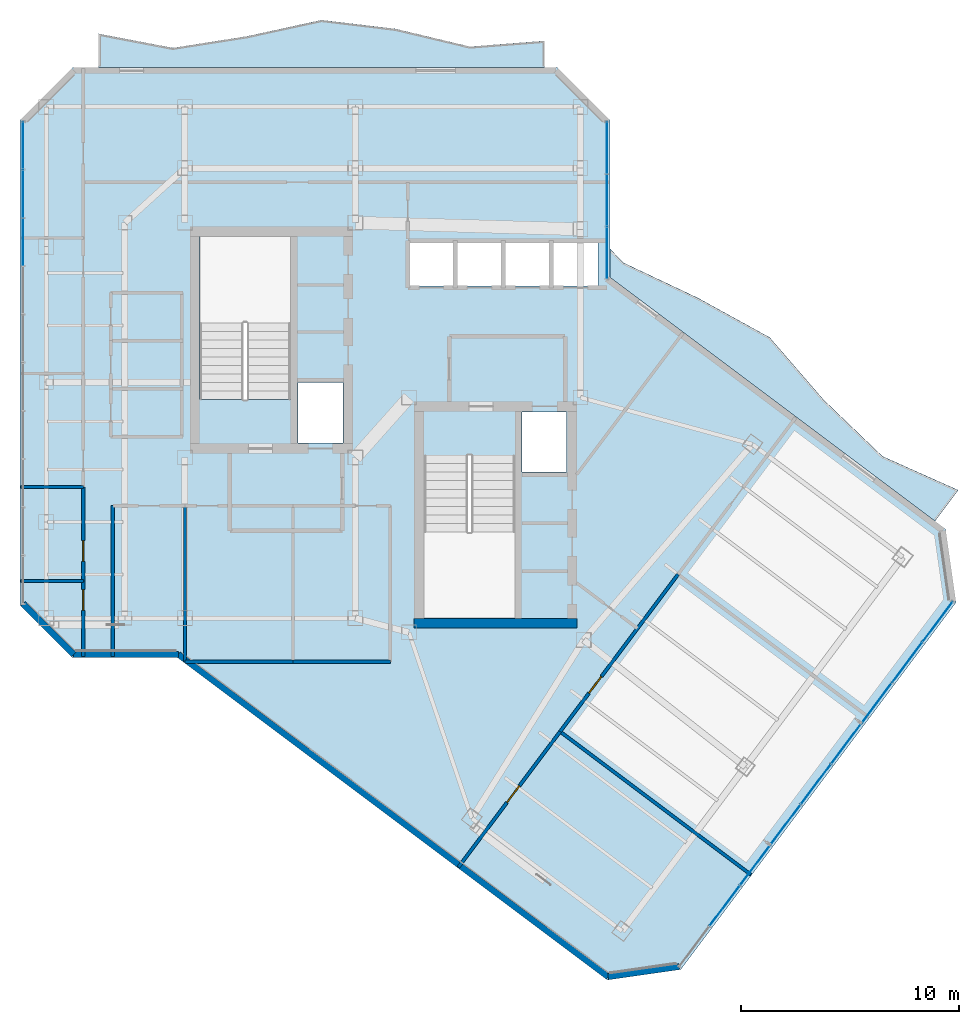
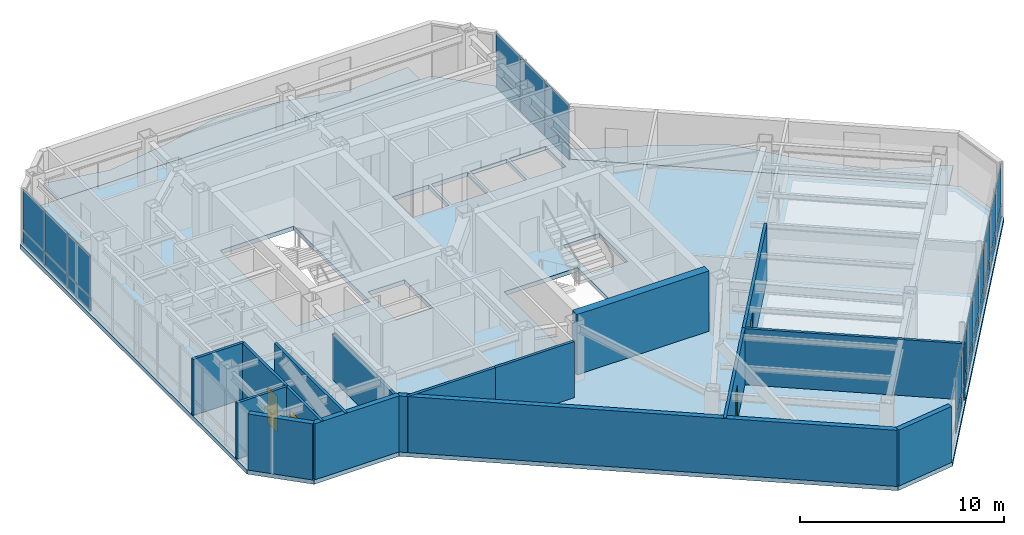
# One storey, part 19 of 26: 28 plates, 16 walls, 4 doors, 3 slabs, 4 openings, 3 elements without a shape of their own.
"""IFC4 building model written with IfcOpenShell, lengths in metres."""

from ifc_helpers import new_model, si_unit, direction, frame, frame_2d, origin, origin_2d, place, context, subcontext, project, spatial, polyline, rectangle, outline, extrude, material, layer, layer_set, type_object, element, fill, aggregate, save


model = new_model("IFC4")

# Units and contexts
model_context = context("Model", 3, precision=1e-05, world=origin(), true_north=direction((0.0, 1.0)))
body_context = subcontext(model_context, "Body", "Model", "MODEL_VIEW")
ifc_project = project(units=[si_unit("LENGTHUNIT", "METRE"), si_unit("AREAUNIT", "SQUARE_METRE"), si_unit("VOLUMEUNIT", "CUBIC_METRE"), si_unit("PLANEANGLEUNIT", "RADIAN"), si_unit("MASSUNIT", "GRAM", prefix="KILO")], contexts=[model_context])

# Site, building, storey
site_placement = place(None, origin())
site = spatial("IfcSite", under=ifc_project, at=site_placement, CompositionType="ELEMENT")
building_placement = place(site_placement, origin())
building = spatial("IfcBuilding", under=site, at=building_placement, Name="Hatsunagi Terrace Concourse", CompositionType="ELEMENT")
storey_placement = place(building_placement, frame((0.0, 0.0, 227.550048828125)))
storey = spatial("IfcBuildingStorey", under=building, at=storey_placement, Name="L60", CompositionType="ELEMENT", Elevation=227.550048828125)

# Curtain wall, plates
ifc_material_1 = material(Name="Anodised Aluminium Alloy 6063-T5", Category="aluminium")
ifc_layer_1 = layer(ifc_material_1, 0.199951171875)
ifc_layer_set_1 = layer_set([ifc_layer_1], Name="OfficeZone2_CW04")
curtain_wall_type = type_object("IfcCurtainWallType", Name="OfficeZone2_CW04", PredefinedType="NOTDEFINED", material=ifc_layer_set_1)
curtain_wall_1_placement = place(storey_placement, origin())
curtain_wall_1 = element("IfcCurtainWall", 1, at=curtain_wall_1_placement, inside=storey, type_object=curtain_wall_type, Name="Unitised Curtain Wall CW-04 CW-L60-03", PredefinedType="NOTDEFINED")
ifc_material_2 = material(Name="Warm Terracotta Ceramic Spandrel Panel", Category="masonry")
ifc_layer_2 = layer(ifc_material_2, 0.031982421875)
ifc_layer_set_2 = layer_set([ifc_layer_2], Name="CurtainWallSpandrelPanel_32")
plate_type_1 = type_object("IfcPlateType", Name="CurtainWallSpandrelPanel_32", PredefinedType="SHEET", material=ifc_layer_set_2)
plate_1_placement = place(storey_placement, frame((59.9970703125, 25.030029296875, 0.030029296875), z_axis=(0.0, 0.0, 1.0), x_axis=(-0.599969314634, -0.800023013105, 0.0)))
plate_1 = element("IfcPlate", 2, at=plate_1_placement, type_object=plate_type_1, Name="Terracotta Spandrel Panel SPN-01", PredefinedType="SHEET", context=body_context, shape_type="SweptSolid", body=[
    extrude(rectangle(XDim=2.264892578125, YDim=0.031982421875, at=origin_2d()), origin(), (0.0, 0.0, 1.0), 0.7900390625),
])
plate_2_placement = place(storey_placement, frame((58.60498046875, 23.173095703125, 0.030029296875), z_axis=(0.0, 0.0, 1.0), x_axis=(-0.599969314634, -0.800023013105, 0.0)))
plate_2 = element("IfcPlate", 3, at=plate_2_placement, type_object=plate_type_1, Name="Terracotta Spandrel Panel SPN-01", PredefinedType="SHEET", context=body_context, shape_type="SweptSolid", body=[
    extrude(rectangle(XDim=2.264892578125, YDim=0.031982421875, at=origin_2d()), origin(), (0.0, 0.0, 1.0), 0.7900390625),
])
plate_3_placement = place(storey_placement, frame((57.2119140625, 21.31689453125, 0.030029296875), z_axis=(0.0, 0.0, 1.0), x_axis=(-0.599969314634, -0.800023013105, 0.0)))
plate_3 = element("IfcPlate", 4, at=plate_3_placement, type_object=plate_type_1, Name="Terracotta Spandrel Panel SPN-01", PredefinedType="SHEET", context=body_context, shape_type="SweptSolid", body=[
    extrude(rectangle(XDim=2.264892578125, YDim=0.031982421875, at=origin_2d()), origin(), (0.0, 0.0, 1.0), 0.7900390625),
])
plate_4_placement = place(storey_placement, frame((55.820068359375, 19.4599609375, 0.030029296875), z_axis=(0.0, 0.0, 1.0), x_axis=(-0.599969314634, -0.800023013105, 0.0)))
plate_4 = element("IfcPlate", 5, at=plate_4_placement, type_object=plate_type_1, Name="Terracotta Spandrel Panel SPN-01", PredefinedType="SHEET", context=body_context, shape_type="SweptSolid", body=[
    extrude(rectangle(XDim=2.264892578125, YDim=0.031982421875, at=origin_2d()), origin(), (0.0, 0.0, 1.0), 0.7900390625),
])
plate_5_placement = place(storey_placement, frame((54.427978515625, 17.60400390625, 0.030029296875), z_axis=(0.0, 0.0, 1.0), x_axis=(-0.599969314634, -0.800023013105, 0.0)))
plate_5 = element("IfcPlate", 6, at=plate_5_placement, type_object=plate_type_1, Name="Terracotta Spandrel Panel SPN-01", PredefinedType="SHEET", context=body_context, shape_type="SweptSolid", body=[
    extrude(rectangle(XDim=2.264892578125, YDim=0.031982421875, at=origin_2d()), origin(), (0.0, 0.0, 1.0), 0.7900390625),
])
plate_6_placement = place(storey_placement, frame((53.035888671875, 15.748046875, 0.030029296875), z_axis=(0.0, 0.0, 1.0), x_axis=(-0.599969314634, -0.800023013105, 0.0)))
plate_6 = element("IfcPlate", 7, at=plate_6_placement, type_object=plate_type_1, Name="Terracotta Spandrel Panel SPN-01", PredefinedType="SHEET", context=body_context, shape_type="SweptSolid", body=[
    extrude(rectangle(XDim=2.264892578125, YDim=0.031982421875, at=origin_2d()), origin(), (0.0, 0.0, 1.0), 0.7900390625),
])
plate_7_placement = place(storey_placement, frame((51.64404296875, 13.89111328125, 0.030029296875), z_axis=(0.0, 0.0, 1.0), x_axis=(-0.599969314634, -0.800023013105, 0.0)))
plate_7 = element("IfcPlate", 8, at=plate_7_placement, type_object=plate_type_1, Name="Terracotta Spandrel Panel SPN-01", PredefinedType="SHEET", context=body_context, shape_type="SweptSolid", body=[
    extrude(rectangle(XDim=2.264892578125, YDim=0.031982421875, at=origin_2d()), origin(), (0.0, 0.0, 1.0), 0.7900390625),
])
plate_8_placement = place(storey_placement, frame((50.2509765625, 12.034912109375, 0.030029296875), z_axis=(0.0, 0.0, 1.0), x_axis=(-0.599969314634, -0.800023013105, 0.0)))
plate_8 = element("IfcPlate", 9, at=plate_8_placement, type_object=plate_type_1, Name="Terracotta Spandrel Panel SPN-01", PredefinedType="SHEET", context=body_context, shape_type="SweptSolid", body=[
    extrude(rectangle(XDim=2.264892578125, YDim=0.031982421875, at=origin_2d()), origin(), (0.0, 0.0, 1.0), 0.7900390625),
])

curtain_wall_2_placement = place(storey_placement, origin())
curtain_wall_2 = element("IfcCurtainWall", 10, at=curtain_wall_2_placement, inside=storey, type_object=curtain_wall_type, Name="Unitised Curtain Wall CW-04 CW-L60-08", PredefinedType="NOTDEFINED")
plate_9_placement = place(storey_placement, frame((18.139892578125, 42.4208984375, 0.030029296875), z_axis=(0.0, 0.0, 1.0), x_axis=(0.0, 1.0, 0.0)))
plate_9 = element("IfcPlate", 11, at=plate_9_placement, type_object=plate_type_1, Name="Terracotta Spandrel Panel SPN-01", PredefinedType="SHEET", context=body_context, shape_type="SweptSolid", body=[
    extrude(rectangle(XDim=2.153076171875, YDim=0.031982421875, at=origin_2d()), origin(), (0.0, 0.0, 1.0), 0.7900390625),
])
plate_10_placement = place(storey_placement, frame((18.139892578125, 44.62890625, 0.030029296875), z_axis=(0.0, 0.0, 1.0), x_axis=(0.0, 1.0, 0.0)))
plate_10 = element("IfcPlate", 12, at=plate_10_placement, type_object=plate_type_1, Name="Terracotta Spandrel Panel SPN-01", PredefinedType="SHEET", context=body_context, shape_type="SweptSolid", body=[
    extrude(rectangle(XDim=2.153076171875, YDim=0.031982421875, at=origin_2d()), origin(), (0.0, 0.0, 1.0), 0.7900390625),
])
plate_11_placement = place(storey_placement, frame((18.139892578125, 46.837890625, 0.030029296875), z_axis=(0.0, 0.0, 1.0), x_axis=(0.0, 1.0, 0.0)))
plate_11 = element("IfcPlate", 13, at=plate_11_placement, type_object=plate_type_1, Name="Terracotta Spandrel Panel SPN-01", PredefinedType="SHEET", context=body_context, shape_type="SweptSolid", body=[
    extrude(rectangle(XDim=2.153076171875, YDim=0.031982421875, at=origin_2d()), origin(), (0.0, 0.0, 1.0), 0.7900390625),
])

curtain_wall_3_placement = place(storey_placement, origin())
curtain_wall_3 = element("IfcCurtainWall", 14, at=curtain_wall_3_placement, inside=storey, type_object=curtain_wall_type, Name="Unitised Curtain Wall CW-04 CW-L60-12", PredefinedType="NOTDEFINED")
plate_12_placement = place(storey_placement, frame((44.860107421875, 46.739990234375, 0.030029296875), z_axis=(0.0, 0.0, 1.0), x_axis=(0.0, -1.0, 0.0)))
plate_12 = element("IfcPlate", 15, at=plate_12_placement, type_object=plate_type_1, Name="Terracotta Spandrel Panel SPN-01", PredefinedType="SHEET", context=body_context, shape_type="SweptSolid", body=[
    extrude(rectangle(XDim=2.34912109375, YDim=0.031982421875, at=origin_2d()), origin(), (0.0, 0.0, 1.0), 0.7900390625),
])
plate_13_placement = place(storey_placement, frame((44.860107421875, 44.3359375, 0.030029296875), z_axis=(0.0, 0.0, 1.0), x_axis=(0.0, -1.0, 0.0)))
plate_13 = element("IfcPlate", 16, at=plate_13_placement, type_object=plate_type_1, Name="Terracotta Spandrel Panel SPN-01", PredefinedType="SHEET", context=body_context, shape_type="SweptSolid", body=[
    extrude(rectangle(XDim=2.34912109375, YDim=0.031982421875, at=origin_2d()), origin(), (0.0, 0.0, 1.0), 0.7900390625),
])
plate_14_placement = place(storey_placement, frame((44.860107421875, 41.931884765625, 0.030029296875), z_axis=(0.0, 0.0, 1.0), x_axis=(0.0, -1.0, 0.0)))
plate_14 = element("IfcPlate", 17, at=plate_14_placement, type_object=plate_type_1, Name="Terracotta Spandrel Panel SPN-01", PredefinedType="SHEET", context=body_context, shape_type="SweptSolid", body=[
    extrude(rectangle(XDim=2.34912109375, YDim=0.031982421875, at=origin_2d()), origin(), (0.0, 0.0, 1.0), 0.7900390625),
])

# Plate
ifc_material_3 = material(Name="Low-E Double Insulating Glass 28mm", Category="glass")
ifc_layer_3 = layer(ifc_material_3, 0.028076171875)
ifc_layer_set_3 = layer_set([ifc_layer_3], Name="CurtainWallVisionGlass_28")
plate_type_2 = type_object("IfcPlateType", Name="CurtainWallVisionGlass_28", PredefinedType="CURTAIN_PANEL", material=ifc_layer_set_3)
plate_15_placement = place(storey_placement, frame((59.9970703125, 25.030029296875, 0.8798828125), z_axis=(0.0, 0.0, 1.0), x_axis=(-0.599969314634, -0.800023013105, 0.0)))
plate_15 = element("IfcPlate", 18, at=plate_15_placement, type_object=plate_type_2, Name="Low-E Vision Glass Panel GLZ-01", PredefinedType="CURTAIN_PANEL", context=body_context, shape_type="SweptSolid", body=[
    extrude(rectangle(XDim=2.264892578125, YDim=0.028076171875, at=origin_2d()), origin(), (0.0, 0.0, 1.0), 2.43994140625),
])

plate_16_placement = place(storey_placement, frame((58.60498046875, 23.173095703125, 0.8798828125), z_axis=(0.0, 0.0, 1.0), x_axis=(-0.599969314634, -0.800023013105, 0.0)))
plate_16 = element("IfcPlate", 19, at=plate_16_placement, type_object=plate_type_2, Name="Low-E Vision Glass Panel GLZ-01", PredefinedType="CURTAIN_PANEL", context=body_context, shape_type="SweptSolid", body=[
    extrude(rectangle(XDim=2.264892578125, YDim=0.028076171875, at=origin_2d()), origin(), (0.0, 0.0, 1.0), 2.43994140625),
])

plate_17_placement = place(storey_placement, frame((57.2119140625, 21.31689453125, 0.8798828125), z_axis=(0.0, 0.0, 1.0), x_axis=(-0.599969314634, -0.800023013105, 0.0)))
plate_17 = element("IfcPlate", 20, at=plate_17_placement, type_object=plate_type_2, Name="Low-E Vision Glass Panel GLZ-01", PredefinedType="CURTAIN_PANEL", context=body_context, shape_type="SweptSolid", body=[
    extrude(rectangle(XDim=2.264892578125, YDim=0.028076171875, at=origin_2d()), origin(), (0.0, 0.0, 1.0), 2.43994140625),
])

plate_18_placement = place(storey_placement, frame((55.820068359375, 19.4599609375, 0.8798828125), z_axis=(0.0, 0.0, 1.0), x_axis=(-0.599969314634, -0.800023013105, 0.0)))
plate_18 = element("IfcPlate", 21, at=plate_18_placement, type_object=plate_type_2, Name="Low-E Vision Glass Panel GLZ-01", PredefinedType="CURTAIN_PANEL", context=body_context, shape_type="SweptSolid", body=[
    extrude(rectangle(XDim=2.264892578125, YDim=0.028076171875, at=origin_2d()), origin(), (0.0, 0.0, 1.0), 2.43994140625),
])

plate_19_placement = place(storey_placement, frame((54.427978515625, 17.60400390625, 0.8798828125), z_axis=(0.0, 0.0, 1.0), x_axis=(-0.599969314634, -0.800023013105, 0.0)))
plate_19 = element("IfcPlate", 22, at=plate_19_placement, type_object=plate_type_2, Name="Low-E Vision Glass Panel GLZ-01", PredefinedType="CURTAIN_PANEL", context=body_context, shape_type="SweptSolid", body=[
    extrude(rectangle(XDim=2.264892578125, YDim=0.028076171875, at=origin_2d()), origin(), (0.0, 0.0, 1.0), 2.43994140625),
])

plate_20_placement = place(storey_placement, frame((53.035888671875, 15.748046875, 0.8798828125), z_axis=(0.0, 0.0, 1.0), x_axis=(-0.599969314634, -0.800023013105, 0.0)))
plate_20 = element("IfcPlate", 23, at=plate_20_placement, type_object=plate_type_2, Name="Low-E Vision Glass Panel GLZ-01", PredefinedType="CURTAIN_PANEL", context=body_context, shape_type="SweptSolid", body=[
    extrude(rectangle(XDim=2.264892578125, YDim=0.028076171875, at=origin_2d()), origin(), (0.0, 0.0, 1.0), 2.43994140625),
])

plate_21_placement = place(storey_placement, frame((51.64404296875, 13.89111328125, 0.8798828125), z_axis=(0.0, 0.0, 1.0), x_axis=(-0.599969314634, -0.800023013105, 0.0)))
plate_21 = element("IfcPlate", 24, at=plate_21_placement, type_object=plate_type_2, Name="Low-E Vision Glass Panel GLZ-01", PredefinedType="CURTAIN_PANEL", context=body_context, shape_type="SweptSolid", body=[
    extrude(rectangle(XDim=2.264892578125, YDim=0.028076171875, at=origin_2d()), origin(), (0.0, 0.0, 1.0), 2.43994140625),
])

plate_22_placement = place(storey_placement, frame((50.2509765625, 12.034912109375, 0.8798828125), z_axis=(0.0, 0.0, 1.0), x_axis=(-0.599969314634, -0.800023013105, 0.0)))
plate_22 = element("IfcPlate", 25, at=plate_22_placement, type_object=plate_type_2, Name="Low-E Vision Glass Panel GLZ-01", PredefinedType="CURTAIN_PANEL", context=body_context, shape_type="SweptSolid", body=[
    extrude(rectangle(XDim=2.264892578125, YDim=0.028076171875, at=origin_2d()), origin(), (0.0, 0.0, 1.0), 2.43994140625),
])

aggregate(curtain_wall_1, [plate_1, plate_15, plate_2, plate_16, plate_3, plate_17, plate_4, plate_18, plate_5, plate_19, plate_6, plate_20, plate_7, plate_21, plate_8, plate_22])

plate_23_placement = place(storey_placement, frame((18.139892578125, 42.4208984375, 0.8798828125), z_axis=(0.0, 0.0, 1.0), x_axis=(0.0, 1.0, 0.0)))
plate_23 = element("IfcPlate", 26, at=plate_23_placement, type_object=plate_type_2, Name="Low-E Vision Glass Panel GLZ-01", PredefinedType="CURTAIN_PANEL", context=body_context, shape_type="SweptSolid", body=[
    extrude(rectangle(XDim=2.153076171875, YDim=0.028076171875, at=origin_2d()), origin(), (0.0, 0.0, 1.0), 2.43994140625),
])

plate_24_placement = place(storey_placement, frame((18.139892578125, 44.62890625, 0.8798828125), z_axis=(0.0, 0.0, 1.0), x_axis=(0.0, 1.0, 0.0)))
plate_24 = element("IfcPlate", 27, at=plate_24_placement, type_object=plate_type_2, Name="Low-E Vision Glass Panel GLZ-01", PredefinedType="CURTAIN_PANEL", context=body_context, shape_type="SweptSolid", body=[
    extrude(rectangle(XDim=2.153076171875, YDim=0.028076171875, at=origin_2d()), origin(), (0.0, 0.0, 1.0), 2.43994140625),
])

plate_25_placement = place(storey_placement, frame((18.139892578125, 46.837890625, 0.8798828125), z_axis=(0.0, 0.0, 1.0), x_axis=(0.0, 1.0, 0.0)))
plate_25 = element("IfcPlate", 28, at=plate_25_placement, type_object=plate_type_2, Name="Low-E Vision Glass Panel GLZ-01", PredefinedType="CURTAIN_PANEL", context=body_context, shape_type="SweptSolid", body=[
    extrude(rectangle(XDim=2.153076171875, YDim=0.028076171875, at=origin_2d()), origin(), (0.0, 0.0, 1.0), 2.43994140625),
])

aggregate(curtain_wall_2, [plate_9, plate_23, plate_10, plate_24, plate_11, plate_25])

plate_26_placement = place(storey_placement, frame((44.860107421875, 46.739990234375, 0.8798828125), z_axis=(0.0, 0.0, 1.0), x_axis=(0.0, -1.0, 0.0)))
plate_26 = element("IfcPlate", 29, at=plate_26_placement, type_object=plate_type_2, Name="Low-E Vision Glass Panel GLZ-01", PredefinedType="CURTAIN_PANEL", context=body_context, shape_type="SweptSolid", body=[
    extrude(rectangle(XDim=2.34912109375, YDim=0.028076171875, at=origin_2d()), origin(), (0.0, 0.0, 1.0), 2.43994140625),
])

plate_27_placement = place(storey_placement, frame((44.860107421875, 44.3359375, 0.8798828125), z_axis=(0.0, 0.0, 1.0), x_axis=(0.0, -1.0, 0.0)))
plate_27 = element("IfcPlate", 30, at=plate_27_placement, type_object=plate_type_2, Name="Low-E Vision Glass Panel GLZ-01", PredefinedType="CURTAIN_PANEL", context=body_context, shape_type="SweptSolid", body=[
    extrude(rectangle(XDim=2.34912109375, YDim=0.028076171875, at=origin_2d()), origin(), (0.0, 0.0, 1.0), 2.43994140625),
])

plate_28_placement = place(storey_placement, frame((44.860107421875, 41.931884765625, 0.8798828125), z_axis=(0.0, 0.0, 1.0), x_axis=(0.0, -1.0, 0.0)))
plate_28 = element("IfcPlate", 31, at=plate_28_placement, type_object=plate_type_2, Name="Low-E Vision Glass Panel GLZ-01", PredefinedType="CURTAIN_PANEL", context=body_context, shape_type="SweptSolid", body=[
    extrude(rectangle(XDim=2.34912109375, YDim=0.028076171875, at=origin_2d()), origin(), (0.0, 0.0, 1.0), 2.43994140625),
])

aggregate(curtain_wall_3, [plate_12, plate_26, plate_13, plate_27, plate_14, plate_28])

# Slabs
ifc_material_4 = material(Name="Concrete Fc42", Category="concrete")
ifc_layer_4 = layer(ifc_material_4, 0.199951171875)
ifc_layer_set_4 = layer_set([ifc_layer_4], Name="EngawaBalconySlab_Fc42_200")
slab_type_1 = type_object("IfcSlabType", Name="EngawaBalconySlab_Fc42_200", PredefinedType="FLOOR", material=ifc_layer_set_4)
slab_1_placement = place(storey_placement, frame((0.0, 0.0, -0.199951171875)))
element("IfcSlab", 32, at=slab_1_placement, inside=storey, type_object=slab_type_1, Name="Engawa Balcony Slab BAL-L60-BN", PredefinedType="FLOOR", context=body_context, shape_type="SweptSolid", body=[
    extrude(outline(polyline([(21.60009765625, 51.949951171875), (21.60009765625, 50.39990234375), (42.0, 50.39990234375), (42.0, 51.625), (38.60009765625, 51.361083984375), (35.199951171875, 52.172119140625), (31.800048828125, 52.577880859375), (28.39990234375, 51.8369140625), (25.0, 51.302001953125), (21.60009765625, 51.949951171875)])), origin(), (0.0, 0.0, 1.0), 0.199951171875),
])
slab_2_placement = place(storey_placement, frame((0.0, 0.0, -0.199951171875)))
element("IfcSlab", 33, at=slab_2_placement, inside=storey, type_object=slab_type_1, Name="Engawa Balcony Slab BAL-L60-BSE", PredefinedType="FLOOR", context=body_context, shape_type="SweptSolid", body=[
    extrude(outline(polyline([(45.623046875, 41.464111328125), (44.99609375, 42.111083984375), (44.99609375, 40.802978515625), (59.8798828125, 29.639892578125), (60.943115234375, 31.05810546875), (57.47802734375, 32.60400390625), (54.7890625, 35.18505859375), (52.31103515625, 38.048095703125), (49.0380859375, 39.85009765625), (45.623046875, 41.464111328125)])), origin(), (0.0, 0.0, 1.0), 0.199951171875),
])
ifc_material_5 = material(Name="Concrete Fc42", Category="concrete")
ifc_layer_5 = layer(ifc_material_5, 0.25)
ifc_layer_set_5 = layer_set([ifc_layer_5], Name="OfficeCrownSlab_Fc42_250")
slab_type_2 = type_object("IfcSlabType", Name="OfficeCrownSlab_Fc42_250", PredefinedType="FLOOR", material=ifc_layer_set_5)
slab_3_placement = place(storey_placement, frame((0.0, 0.0, -0.25)))
element("IfcSlab", 34, at=slab_3_placement, inside=storey, type_object=slab_type_2, Name="Floor Slab SL-250 L60", PredefinedType="FLOOR", context=body_context, shape_type="SweptSolid", body=[
    extrude(outline(polyline([(45.0, 40.800048828125), (45.0, 48.0), (42.60009765625, 50.39990234375), (20.39990234375, 50.39990234375), (18.0, 48.0), (18.0, 25.800048828125), (20.39990234375, 23.39990234375), (25.199951171875, 23.39990234375), (44.8798828125, 8.639892578125), (48.239990234375, 9.1201171875), (60.840087890625, 25.919921875), (60.360107421875, 29.280029296875), (45.0, 40.800048828125)]), holes=[polyline([(26.22998046875, 35.205078125), (30.3798828125, 35.205078125), (30.3798828125, 42.659912109375), (26.22998046875, 42.659912109375), (26.22998046875, 35.205078125)]), polyline([(36.5, 25.199951171875), (40.64990234375, 25.199951171875), (40.64990234375, 32.655029296875), (36.5, 32.655029296875), (36.5, 25.199951171875)]), polyline([(30.719970703125, 33.219970703125), (32.780029296875, 33.219970703125), (32.780029296875, 35.97998046875), (30.719970703125, 35.97998046875), (30.719970703125, 33.219970703125)]), polyline([(40.97998046875, 31.8798828125), (43.02001953125, 31.8798828125), (43.02001953125, 34.639892578125), (40.97998046875, 34.639892578125), (40.97998046875, 31.8798828125)]), polyline([(35.800048828125, 40.39990234375), (37.85009765625, 40.39990234375), (37.85009765625, 42.39990234375), (35.800048828125, 42.39990234375), (35.800048828125, 40.39990234375)]), polyline([(38.0, 40.39990234375), (40.050048828125, 40.39990234375), (40.050048828125, 42.39990234375), (38.0, 42.39990234375), (38.0, 40.39990234375)]), polyline([(40.199951171875, 40.39990234375), (42.25, 40.39990234375), (42.25, 42.39990234375), (40.199951171875, 42.39990234375), (40.199951171875, 40.39990234375)]), polyline([(42.39990234375, 40.39990234375), (44.449951171875, 40.39990234375), (44.449951171875, 42.39990234375), (42.39990234375, 42.39990234375), (42.39990234375, 40.39990234375)])]), origin(), (0.0, 0.0, 1.0), 0.25),
])

# Walls
ifc_material_6 = material(Name="Concrete Fc42", Category="concrete")
ifc_layer_6 = layer(ifc_material_6, 0.449951171875)
ifc_layer_set_6 = layer_set([ifc_layer_6], Name="CoreShearWall_Fc42_450")
wall_type_1 = type_object("IfcWallType", Name="CoreShearWall_Fc42_450", PredefinedType="SHEAR", material=ifc_layer_set_6)
wall_1_placement = place(storey_placement, frame((36.0400390625, 24.965087890625, 0.0), z_axis=(0.0, 0.0, 1.0), x_axis=(1.0, 0.0, 0.0)))
element("IfcWall", 35, at=wall_1_placement, inside=storey, type_object=wall_type_1, Name="Core B Shear Wall S L60", PredefinedType="SHEAR", context=body_context, shape_type="SweptSolid", body=[
    extrude(rectangle(XDim=7.4599609375, YDim=0.449951171875, at=frame_2d((3.72998046875, 0.0))), origin(), (0.0, 0.0, 1.0), 3.599853515625),
])
ifc_material_7 = material(Name="Acoustic mineral board", Category="gypsum")
ifc_layer_7 = layer(ifc_material_7, 0.14990234375)
ifc_layer_set_7 = layer_set([ifc_layer_7], Name="PartitionWall_EI60_150")
wall_type_2 = type_object("IfcWallType", Name="PartitionWall_EI60_150", PredefinedType="PARTITIONING", material=ifc_layer_set_7)
wall_2_placement = place(storey_placement, frame((25.550048828125, 23.199951171875, 0.0), z_axis=(0.0, 0.0, 1.0), x_axis=(1.0, 0.0, 0.0)))
element("IfcWall", 36, at=wall_2_placement, inside=storey, type_object=wall_type_2, Name="Interior Partition IW-L60-027", PredefinedType="PARTITIONING", context=body_context, shape_type="SweptSolid", body=[
    extrude(rectangle(XDim=4.949951171875, YDim=0.14990234375, at=frame_2d((2.47509765625, 0.0))), origin(), (0.0, 0.0, 1.0), 3.349853515625),
])
wall_3_placement = place(storey_placement, frame((25.550048828125, 23.199951171875, 0.0), z_axis=(0.0, 0.0, 1.0), x_axis=(0.0, 1.0, 0.0)))
element("IfcWall", 37, at=wall_3_placement, inside=storey, type_object=wall_type_2, Name="Interior Partition IW-L60-029", PredefinedType="PARTITIONING", context=body_context, shape_type="SweptSolid", body=[
    extrude(rectangle(XDim=7.150146484375, YDim=0.14990234375, at=frame_2d((3.5751953125, 0.0))), origin(), (0.0, 0.0, 1.0), 2.7568359375),
])
wall_4_placement = place(storey_placement, frame((30.5, 23.199951171875, 0.0), z_axis=(0.0, 0.0, 1.0), x_axis=(1.0, 0.0, 0.0)))
element("IfcWall", 38, at=wall_4_placement, inside=storey, type_object=wall_type_2, Name="Interior Partition IW-L60-031", PredefinedType="PARTITIONING", context=body_context, shape_type="SweptSolid", body=[
    extrude(rectangle(XDim=4.449951171875, YDim=0.14990234375, at=frame_2d((2.22509765625, 0.0))), origin(), (0.0, 0.0, 1.0), 3.349853515625),
])
wall_5_placement = place(storey_placement, frame((18.0400390625, 26.89990234375, 0.0), z_axis=(0.0, 0.0, 1.0), x_axis=(1.0, 0.0, 0.0)))
element("IfcWall", 39, at=wall_5_placement, inside=storey, type_object=wall_type_2, Name="Interior Partition IW-L60-034", PredefinedType="PARTITIONING", context=body_context, shape_type="SweptSolid", body=[
    extrude(rectangle(XDim=2.85986328125, YDim=0.14990234375, at=frame_2d((1.429931640625, 0.0))), origin(), (0.0, 0.0, 1.0), 3.349853515625),
])

# Wall, opening, door
wall_6_placement = place(storey_placement, frame((20.89990234375, 23.43994140625, 0.0), z_axis=(0.0, 0.0, 1.0), x_axis=(0.0, 1.0, 0.0)))
wall_6 = element("IfcWall", 40, at=wall_6_placement, inside=storey, type_object=wall_type_2, Name="Interior Partition IW-L60-035", PredefinedType="PARTITIONING", context=body_context, shape_type="SweptSolid", body=[
    extrude(rectangle(XDim=3.4599609375, YDim=0.14990234375, at=frame_2d((1.72998046875, 0.0))), origin(), (0.0, 0.0, 1.0), 3.349853515625),
])
opening_1_placement = place(wall_6_placement, frame((2.112060546875, 0.0, 0.0)))
opening_1 = element("IfcOpeningElement", 41, at=opening_1_placement, cuts=wall_6, Name="Opening DR-095", PredefinedType="OPENING", context=body_context, shape_type="SweptSolid", body=[
    extrude(rectangle(XDim=0.949951171875, YDim=2.14990234375, at=frame_2d((0.47509765625, 1.074951171875))), frame((0.0, 0.0849609375, 0.0), z_axis=(0.0, -1.0, 0.0), x_axis=(1.0, 0.0, 0.0)), (0.0, 0.0, 1.0), 0.169921875),
])
ifc_material_8 = material(Name="Hardwood timber", Category="wood")
door_type = type_object("IfcDoorType", Name="InteriorSuiteDoor_EI30_950", OperationType="NOTDEFINED", PredefinedType="DOOR", material=ifc_material_8)
door_1_placement = place(opening_1_placement, origin())
door_1 = element("IfcDoor", 42, at=door_1_placement, inside=storey, type_object=door_type, Name="Focus Room L60-OW1 Door", OperationType="SINGLE_SWING_RIGHT", OverallHeight=2.14990234375, OverallWidth=0.949951171875, PredefinedType="DOOR", context=body_context, shape_type="SweptSolid", body=[
    extrude(rectangle(XDim=0.949951171875, YDim=2.14990234375, at=frame_2d((0.47509765625, 1.074951171875))), frame((0.0, 0.02490234375, 0.0), z_axis=(0.0, -1.0, 0.0), x_axis=(1.0, 0.0, 0.0)), (0.0, 0.0, 1.0), 0.050048828125),
])
fill(opening_1, door_1)

# Wall
wall_7_placement = place(storey_placement, frame((18.0400390625, 31.199951171875, 0.0), z_axis=(0.0, 0.0, 1.0), x_axis=(1.0, 0.0, 0.0)))
element("IfcWall", 43, at=wall_7_placement, inside=storey, type_object=wall_type_2, Name="Interior Partition IW-L60-036", PredefinedType="PARTITIONING", context=body_context, shape_type="SweptSolid", body=[
    extrude(rectangle(XDim=2.85986328125, YDim=0.14990234375, at=frame_2d((1.429931640625, 0.0))), origin(), (0.0, 0.0, 1.0), 3.349853515625),
])

# Wall, opening, door
wall_8_placement = place(storey_placement, frame((20.89990234375, 26.89990234375, 0.0), z_axis=(0.0, 0.0, 1.0), x_axis=(0.0, 1.0, 0.0)))
wall_8 = element("IfcWall", 44, at=wall_8_placement, inside=storey, type_object=wall_type_2, Name="Interior Partition IW-L60-037", PredefinedType="PARTITIONING", context=body_context, shape_type="SweptSolid", body=[
    extrude(rectangle(XDim=4.300048828125, YDim=0.14990234375, at=frame_2d((2.14990234375, 0.0))), origin(), (0.0, 0.0, 1.0), 3.349853515625),
])
opening_2_placement = place(wall_8_placement, frame((0.89794921875, 0.0, 0.0)))
opening_2 = element("IfcOpeningElement", 45, at=opening_2_placement, cuts=wall_8, Name="Opening DR-095", PredefinedType="OPENING", context=body_context, shape_type="SweptSolid", body=[
    extrude(rectangle(XDim=0.949951171875, YDim=2.14990234375, at=frame_2d((0.47509765625, 1.074951171875))), frame((0.0, 0.0849609375, 0.0), z_axis=(0.0, -1.0, 0.0), x_axis=(1.0, 0.0, 0.0)), (0.0, 0.0, 1.0), 0.169921875),
])
door_2_placement = place(opening_2_placement, origin())
door_2 = element("IfcDoor", 46, at=door_2_placement, inside=storey, type_object=door_type, Name="Executive Office L60-OW2 Door", OperationType="SINGLE_SWING_RIGHT", OverallHeight=2.14990234375, OverallWidth=0.949951171875, PredefinedType="DOOR", context=body_context, shape_type="SweptSolid", body=[
    extrude(rectangle(XDim=0.949951171875, YDim=2.14990234375, at=frame_2d((0.47509765625, 1.074951171875))), frame((0.0, 0.02490234375, 0.0), z_axis=(0.0, -1.0, 0.0), x_axis=(1.0, 0.0, 0.0)), (0.0, 0.0, 1.0), 0.050048828125),
])
fill(opening_2, door_2)

# Wall
wall_9_placement = place(storey_placement, frame((42.719970703125, 20.010009765625, 0.0), z_axis=(0.0, 0.0, 1.0), x_axis=(0.800005370633, -0.599992839089, 0.0)))
element("IfcWall", 47, at=wall_9_placement, inside=storey, type_object=wall_type_2, Name="Interior Partition IW-L60-044", PredefinedType="PARTITIONING", context=body_context, shape_type="SweptSolid", body=[
    extrude(rectangle(XDim=10.909912109375, YDim=0.14990234375, at=frame_2d((5.455078125, 0.0))), origin(), (0.0, 0.0, 1.0), 3.349853515625),
])

# Wall, opening, door
wall_10_placement = place(storey_placement, frame((38.06396484375, 13.802001953125, 0.0), z_axis=(0.0, 0.0, 1.0), x_axis=(0.6, 0.8, 0.0)))
wall_10 = element("IfcWall", 48, at=wall_10_placement, inside=storey, type_object=wall_type_2, Name="Interior Partition IW-L60-045", PredefinedType="PARTITIONING", context=body_context, shape_type="SweptSolid", body=[
    extrude(rectangle(XDim=7.760009765625, YDim=0.14990234375, at=frame_2d((3.8798828125, 0.0))), origin(), (0.0, 0.0, 1.0), 3.349853515625),
])
opening_3_placement = place(wall_10_placement, frame((3.7080078125, 0.0, 0.0)))
opening_3 = element("IfcOpeningElement", 49, at=opening_3_placement, cuts=wall_10, Name="Opening DR-095", PredefinedType="OPENING", context=body_context, shape_type="SweptSolid", body=[
    extrude(rectangle(XDim=0.949951171875, YDim=2.14990234375, at=frame_2d((0.47509765625, 1.074951171875))), frame((0.0, 0.0849609375, 0.0), z_axis=(0.0, -1.0, 0.0), x_axis=(1.0, 0.0, 0.0)), (0.0, 0.0, 1.0), 0.169921875),
])
door_3_placement = place(opening_3_placement, origin())
door_3 = element("IfcDoor", 50, at=door_3_placement, inside=storey, type_object=door_type, Name="Research Focus Suite L60-OSE1 Door", OperationType="SINGLE_SWING_RIGHT", OverallHeight=2.14990234375, OverallWidth=0.949951171875, PredefinedType="DOOR", context=body_context, shape_type="SweptSolid", body=[
    extrude(rectangle(XDim=0.949951171875, YDim=2.14990234375, at=frame_2d((0.47509765625, 1.074951171875))), frame((0.0, 0.02490234375, 0.0), z_axis=(0.0, -1.0, 0.0), x_axis=(1.0, 0.0, 0.0)), (0.0, 0.0, 1.0), 0.050048828125),
])
fill(opening_3, door_3)

wall_11_placement = place(storey_placement, frame((42.719970703125, 20.010009765625, 0.0), z_axis=(0.0, 0.0, 1.0), x_axis=(0.600013020683, 0.799990234322, 0.0)))
wall_11 = element("IfcWall", 51, at=wall_11_placement, inside=storey, type_object=wall_type_2, Name="Interior Partition IW-L60-047", PredefinedType="PARTITIONING", context=body_context, shape_type="SweptSolid", body=[
    extrude(rectangle(XDim=9.0, YDim=0.14990234375, at=frame_2d((4.5, 0.0))), origin(), (0.0, 0.0, 1.0), 3.349853515625),
])
opening_4_placement = place(wall_11_placement, frame((2.201904296875, 0.0, 0.0)))
opening_4 = element("IfcOpeningElement", 52, at=opening_4_placement, cuts=wall_11, Name="Opening DR-095", PredefinedType="OPENING", context=body_context, shape_type="SweptSolid", body=[
    extrude(rectangle(XDim=0.949951171875, YDim=2.14990234375, at=frame_2d((0.47509765625, 1.074951171875))), frame((0.0, 0.0849609375, 0.0), z_axis=(0.0, -1.0, 0.0), x_axis=(1.0, 0.0, 0.0)), (0.0, 0.0, 1.0), 0.169921875),
])
door_4_placement = place(opening_4_placement, origin())
door_4 = element("IfcDoor", 53, at=door_4_placement, inside=storey, type_object=door_type, Name="Team Innovation Studio L60-OSE2 Door", OperationType="SINGLE_SWING_RIGHT", OverallHeight=2.14990234375, OverallWidth=0.949951171875, PredefinedType="DOOR", context=body_context, shape_type="SweptSolid", body=[
    extrude(rectangle(XDim=0.949951171875, YDim=2.14990234375, at=frame_2d((0.47509765625, 1.074951171875))), frame((0.0, 0.02490234375, 0.0), z_axis=(0.0, -1.0, 0.0), x_axis=(1.0, 0.0, 0.0)), (0.0, 0.0, 1.0), 0.050048828125),
])
fill(opening_4, door_4)

# Walls
wall_12_placement = place(storey_placement, frame((22.25, 23.43994140625, 0.0), z_axis=(0.0, 0.0, 1.0), x_axis=(0.0, 1.0, 0.0)))
element("IfcWall", 54, at=wall_12_placement, inside=storey, type_object=wall_type_2, Name="Interior Partition IW-L60-052", PredefinedType="PARTITIONING", context=body_context, shape_type="SweptSolid", body=[
    extrude(rectangle(XDim=6.91015625, YDim=0.14990234375, at=frame_2d((3.455078125, 0.0))), origin(), (0.0, 0.0, 1.0), 3.349853515625),
])
ifc_material_9 = material(Name="Autoclaved Lightweight Concrete and Terracotta Cladding", Category="masonry")
ifc_layer_8 = layer(ifc_material_9, 0.280029296875)
ifc_layer_set_8 = layer_set([ifc_layer_8], Name="TerracottaSpandrelWall_280")
wall_type_3 = type_object("IfcWallType", Name="TerracottaSpandrelWall_280", PredefinedType="STANDARD", material=ifc_layer_set_8)
wall_13_placement = place(storey_placement, frame((48.1630859375, 9.25, 0.0), z_axis=(0.0, 0.0, 1.0), x_axis=(-0.989979263428, -0.141212810973, 0.0)))
element("IfcWall", 55, at=wall_13_placement, inside=storey, type_object=wall_type_3, Name="Exterior Spandrel Wall EW-L60-04", PredefinedType="STANDARD", context=body_context, shape_type="SweptSolid", body=[
    extrude(rectangle(XDim=3.278076171875, YDim=0.280029296875, at=frame_2d((1.63916015625, 0.0))), origin(), (0.0, 0.0, 1.0), 3.349853515625),
])
wall_14_placement = place(storey_placement, frame((44.91796875, 8.787109375, 0.0), z_axis=(0.0, 0.0, 1.0), x_axis=(-0.800004765927, 0.599993645378, 0.0)))
element("IfcWall", 56, at=wall_14_placement, inside=storey, type_object=wall_type_3, Name="Exterior Spandrel Wall EW-L60-05", PredefinedType="STANDARD", context=body_context, shape_type="SweptSolid", body=[
    extrude(rectangle(XDim=24.58837890625, YDim=0.280029296875, at=frame_2d((12.294189453125, 0.0))), origin(), (0.0, 0.0, 1.0), 3.349853515625),
])
wall_15_placement = place(storey_placement, frame((25.2470703125, 23.5400390625, 0.0), z_axis=(0.0, 0.0, 1.0), x_axis=(-1.0, 0.0, 0.0)))
element("IfcWall", 57, at=wall_15_placement, inside=storey, type_object=wall_type_3, Name="Exterior Spandrel Wall EW-L60-06", PredefinedType="STANDARD", context=body_context, shape_type="SweptSolid", body=[
    extrude(rectangle(XDim=4.7890625, YDim=0.280029296875, at=frame_2d((2.39453125, 0.0))), origin(), (0.0, 0.0, 1.0), 3.349853515625),
])
wall_16_placement = place(storey_placement, frame((20.4580078125, 23.5400390625, 0.0), z_axis=(0.0, 0.0, 1.0), x_axis=(-0.707144017911, 0.707069542501, 0.0)))
element("IfcWall", 58, at=wall_16_placement, inside=storey, type_object=wall_type_3, Name="Exterior Spandrel Wall EW-L60-07", PredefinedType="STANDARD", context=body_context, shape_type="SweptSolid", body=[
    extrude(rectangle(XDim=3.278076171875, YDim=0.280029296875, at=frame_2d((1.63916015625, 0.0))), origin(), (0.0, 0.0, 1.0), 3.349853515625),
])

save(model, "model.ifc")
